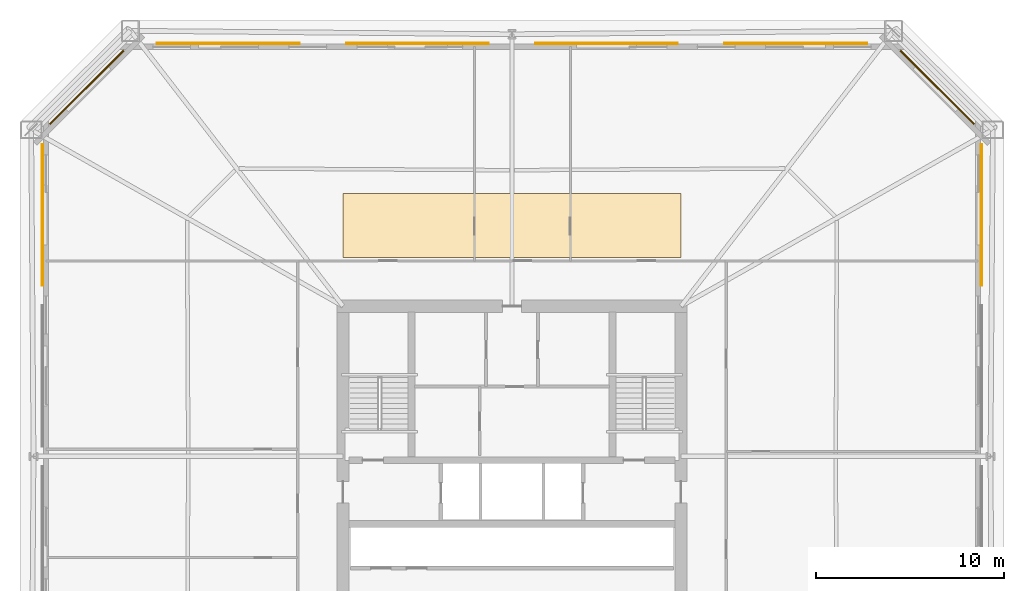
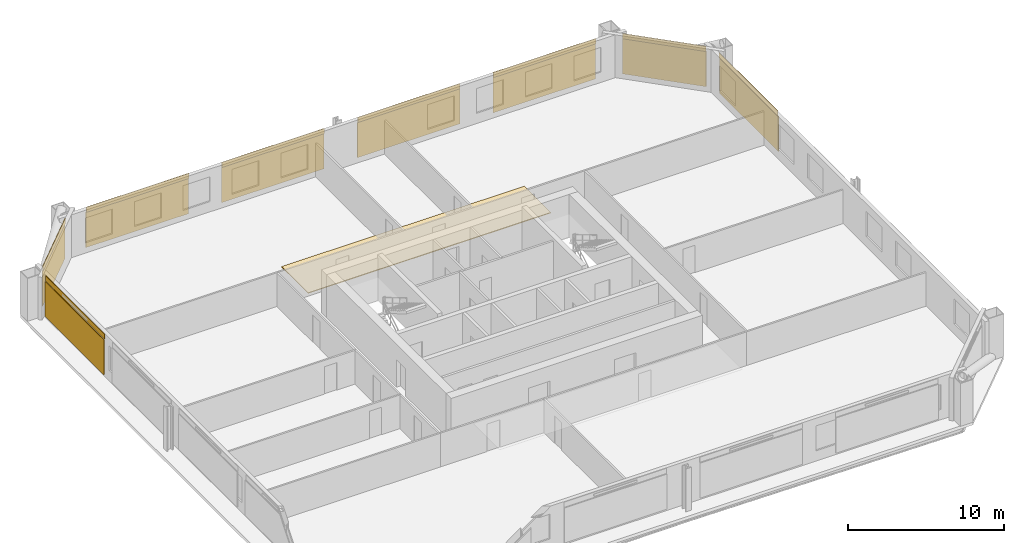
# One storey, part 11 of 11: 9 coverings, 8 shading devices.
"""IFC4 building model written with IfcOpenShell, lengths in metres."""

from ifc_helpers import new_model, si_unit, direction, frame, origin, origin_2d, place, context, subcontext, project, spatial, polyline, rectangle, outline, extrude, material, layer, layer_set, type_object, element, save


model = new_model("IFC4")

# Units and contexts
model_context = context("Model", 3, precision=1e-05, world=origin(), true_north=direction((0.0, 1.0)))
body_context = subcontext(model_context, "Body", "Model", "MODEL_VIEW")
ifc_project = project(units=[si_unit("LENGTHUNIT", "METRE"), si_unit("AREAUNIT", "SQUARE_METRE"), si_unit("VOLUMEUNIT", "CUBIC_METRE"), si_unit("PLANEANGLEUNIT", "RADIAN"), si_unit("MASSUNIT", "GRAM", prefix="KILO")], contexts=[model_context])

# Site, building, storey
site_placement = place(None, origin())
site = spatial("IfcSite", under=ifc_project, at=site_placement, CompositionType="ELEMENT")
building_placement = place(site_placement, origin())
building = spatial("IfcBuilding", under=site, at=building_placement, Name="Caelvoria Tower", CompositionType="ELEMENT")
storey_placement = place(building_placement, frame((0.0, 0.0, 74.800048828125)))
storey = spatial("IfcBuildingStorey", under=building, at=storey_placement, Name="L19", CompositionType="ELEMENT", Elevation=74.800048828125)

# Coverings
ifc_material_1 = material(Name="Perforated Architectural Bronze Cladding Screen", Category="bronze")
ifc_layer_1 = layer(ifc_material_1, 0.0400390625, Name="Perforated Architectural Bronze Cladding Screen")
ifc_layer_set_1 = layer_set([ifc_layer_1], Name="Perforated Bronze Louvre Cladding Band 40 - Perforated Architectural Bronze Cladding Screen")
covering_type_1 = type_object("IfcCoveringType", Name="Perforated Bronze Louvre Cladding Band 40", PredefinedType="CLADDING", material=ifc_layer_set_1)
covering_1_placement = place(storey_placement, frame((70.971923828125, 44.85498046875, 2.93994140625), z_axis=(0.0, 0.0, 1.0), x_axis=(0.0, 1.0, 0.0)))
element("IfcCovering", 1, at=covering_1_placement, inside=storey, type_object=covering_type_1, Name="Perforated Bronze Screen Band L19-E2-03", PredefinedType="CLADDING", context=body_context, shape_type="SweptSolid", body=[
    extrude(rectangle(XDim=7.54150390625, YDim=0.0400390625, at=origin_2d()), origin(), (0.0, 0.0, 1.0), 0.39990234375),
])
covering_2_placement = place(storey_placement, frame((68.631591796875, 51.631591796875, 2.93994140625), z_axis=(0.0, 0.0, 1.0), x_axis=(-0.707106781187, 0.707106781187, 0.0)))
element("IfcCovering", 2, at=covering_2_placement, inside=storey, type_object=covering_type_1, Name="Perforated Bronze Screen Band L19-E3-00", PredefinedType="CLADDING", context=body_context, shape_type="SweptSolid", body=[
    extrude(rectangle(XDim=5.55859375, YDim=0.0400390625, at=origin_2d()), origin(), (0.0, 0.0, 1.0), 0.39990234375),
])
for number, where, z_axis, x_axis, name in (
    (3, (61.10498046875, 53.971923828125, 2.93994140625), (0.0, 0.0, 1.0), (-1.0, 0.0, 0.0), "Perforated Bronze Screen Band L19-E4-00"),
    (4, (51.034912109375, 53.971923828125, 2.93994140625), (0.0, 0.0, 1.0), (-1.0, 0.0, 0.0), "Perforated Bronze Screen Band L19-E4-01"),
    (5, (40.965087890625, 53.971923828125, 2.93994140625), (0.0, 0.0, 1.0), (-1.0, 0.0, 0.0), "Perforated Bronze Screen Band L19-E4-02"),
    (6, (30.89501953125, 53.971923828125, 2.93994140625), (0.0, 0.0, 1.0), (-1.0, 0.0, 0.0), "Perforated Bronze Screen Band L19-E4-03"),
):
    element("IfcCovering", number, at=place(storey_placement, frame(where, z_axis=z_axis, x_axis=x_axis)), inside=storey, type_object=covering_type_1, Name=name, PredefinedType="CLADDING", context=body_context, shape_type="SweptSolid", body=[
        extrude(rectangle(XDim=7.60009765625, YDim=0.0400390625, at=origin_2d()), origin(), (0.0, 0.0, 1.0), 0.39990234375),
    ])
covering_3_placement = place(storey_placement, frame((23.368408203125, 51.631591796875, 2.93994140625), z_axis=(0.0, 0.0, 1.0), x_axis=(-0.707106781187, -0.707106781187, 0.0)))
element("IfcCovering", 7, at=covering_3_placement, inside=storey, type_object=covering_type_1, Name="Perforated Bronze Screen Band L19-E5-00", PredefinedType="CLADDING", context=body_context, shape_type="SweptSolid", body=[
    extrude(rectangle(XDim=5.55859375, YDim=0.0400390625, at=origin_2d()), origin(), (0.0, 0.0, 1.0), 0.39990234375),
])
covering_4_placement = place(storey_placement, frame((21.028076171875, 44.85498046875, 2.93994140625), z_axis=(0.0, 0.0, 1.0), x_axis=(0.0, -1.0, 0.0)))
element("IfcCovering", 8, at=covering_4_placement, inside=storey, type_object=covering_type_1, Name="Perforated Bronze Screen Band L19-E6-00", PredefinedType="CLADDING", context=body_context, shape_type="SweptSolid", body=[
    extrude(rectangle(XDim=7.54150390625, YDim=0.0400390625, at=origin_2d()), origin(), (0.0, 0.0, 1.0), 0.39990234375),
])

# Shading devices
ifc_material_2 = material(Name="Perforated Architectural Bronze Alloy Panel", Category="bronze")
ifc_layer_2 = layer(ifc_material_2, 0.044921875, Name="Perforated Architectural Bronze Alloy Panel")
ifc_layer_set_2 = layer_set([ifc_layer_2], Name="Perforated Bronze Solar Screen Panel SCREEN - Perforated Architectural Bronze Alloy Panel")
shading_device_type = type_object("IfcShadingDeviceType", Name="Perforated Bronze Solar Screen Panel SCREEN", PredefinedType="USERDEFINED", material=ifc_layer_set_2)
shading_device_1_placement = place(storey_placement, frame((71.014892578125, 44.85498046875, 0.159912109375), z_axis=(0.0, 0.0, 1.0), x_axis=(0.0, 1.0, 0.0)))
element("IfcShadingDevice", 9, at=shading_device_1_placement, inside=storey, type_object=shading_device_type, Name="Perforated Bronze Solar Screen L19-E2-03", ObjectType="SCREEN", PredefinedType="USERDEFINED", context=body_context, shape_type="SweptSolid", body=[
    extrude(rectangle(XDim=7.54150390625, YDim=0.044921875, at=origin_2d()), origin(), (0.0, 0.0, 1.0), 2.75),
])
shading_device_2_placement = place(storey_placement, frame((68.662109375, 51.662109375, 0.159912109375), z_axis=(0.0, 0.0, 1.0), x_axis=(-0.707106781187, 0.707106781187, 0.0)))
element("IfcShadingDevice", 10, at=shading_device_2_placement, inside=storey, type_object=shading_device_type, Name="Perforated Bronze Solar Screen L19-E3-00", ObjectType="SCREEN", PredefinedType="USERDEFINED", context=body_context, shape_type="SweptSolid", body=[
    extrude(rectangle(XDim=5.55859375, YDim=0.044921875, at=origin_2d()), origin(), (0.0, 0.0, 1.0), 2.75),
])
for number, where, z_axis, x_axis, name in (
    (11, (61.10498046875, 54.014892578125, 0.159912109375), (0.0, 0.0, 1.0), (-1.0, 0.0, 0.0), "Perforated Bronze Solar Screen L19-E4-00"),
    (12, (51.034912109375, 54.014892578125, 0.159912109375), (0.0, 0.0, 1.0), (-1.0, 0.0, 0.0), "Perforated Bronze Solar Screen L19-E4-01"),
    (13, (40.965087890625, 54.014892578125, 0.159912109375), (0.0, 0.0, 1.0), (-1.0, 0.0, 0.0), "Perforated Bronze Solar Screen L19-E4-02"),
    (14, (30.89501953125, 54.014892578125, 0.159912109375), (0.0, 0.0, 1.0), (-1.0, 0.0, 0.0), "Perforated Bronze Solar Screen L19-E4-03"),
):
    element("IfcShadingDevice", number, at=place(storey_placement, frame(where, z_axis=z_axis, x_axis=x_axis)), inside=storey, type_object=shading_device_type, Name=name, ObjectType="SCREEN", PredefinedType="USERDEFINED", context=body_context, shape_type="SweptSolid", body=[
        extrude(rectangle(XDim=7.60009765625, YDim=0.044921875, at=origin_2d()), origin(), (0.0, 0.0, 1.0), 2.75),
    ])
shading_device_3_placement = place(storey_placement, frame((23.337890625, 51.662109375, 0.159912109375), z_axis=(0.0, 0.0, 1.0), x_axis=(-0.707106781187, -0.707106781187, 0.0)))
element("IfcShadingDevice", 15, at=shading_device_3_placement, inside=storey, type_object=shading_device_type, Name="Perforated Bronze Solar Screen L19-E5-00", ObjectType="SCREEN", PredefinedType="USERDEFINED", context=body_context, shape_type="SweptSolid", body=[
    extrude(rectangle(XDim=5.55859375, YDim=0.044921875, at=origin_2d()), origin(), (0.0, 0.0, 1.0), 2.75),
])
shading_device_4_placement = place(storey_placement, frame((20.985107421875, 44.85498046875, 0.159912109375), z_axis=(0.0, 0.0, 1.0), x_axis=(0.0, -1.0, 0.0)))
element("IfcShadingDevice", 16, at=shading_device_4_placement, inside=storey, type_object=shading_device_type, Name="Perforated Bronze Solar Screen L19-E6-00", ObjectType="SCREEN", PredefinedType="USERDEFINED", context=body_context, shape_type="SweptSolid", body=[
    extrude(rectangle(XDim=7.54150390625, YDim=0.044921875, at=origin_2d()), origin(), (0.0, 0.0, 1.0), 2.75),
])

# Covering
ifc_material_3 = material(Name="Calcium-Sulphate Raised Floor Tile", Category="gypsum")
ifc_layer_3 = layer(ifc_material_3, 0.06005859375, Name="Calcium-Sulphate Raised Floor Tile")
ifc_layer_set_3 = layer_set([ifc_layer_3], Name="Raised Access Office Floor System 120 - Calcium-Sulphate Raised Floor Tile")
covering_type_2 = type_object("IfcCoveringType", Name="Raised Access Office Floor System 120", PredefinedType="FLOORING", material=ifc_layer_set_3)
covering_5_placement = place(storey_placement, origin())
element("IfcCovering", 17, at=covering_5_placement, inside=storey, type_object=covering_type_2, Name="Raised Access Flooring L19", PredefinedType="FLOORING", context=body_context, shape_type="SweptSolid", body=[
    extrude(outline(polyline([(37.0, 42.60009765625), (55.0, 42.60009765625), (55.0, 46.0), (37.0, 46.0), (37.0, 42.60009765625)])), origin(), (0.0, 0.0, 1.0), 0.06005859375),
])

save(model, "model.ifc")
